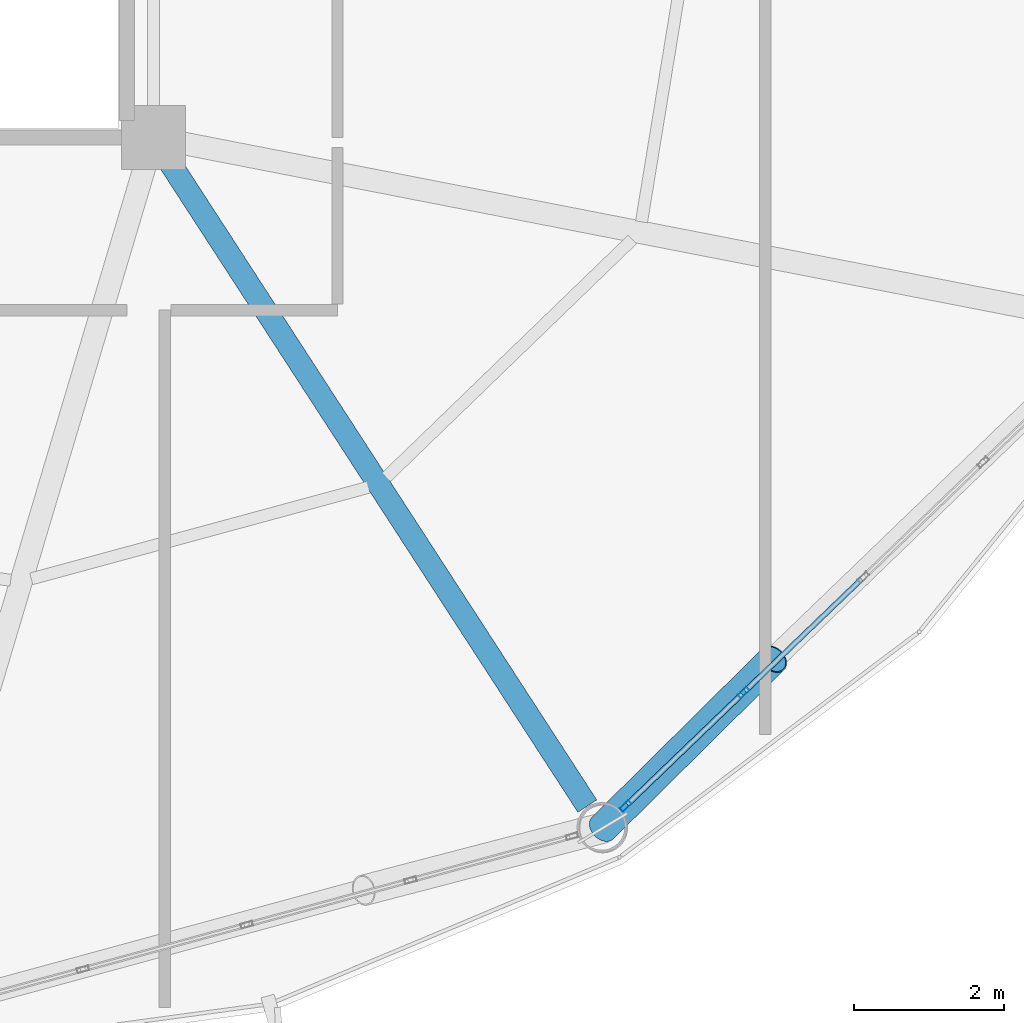
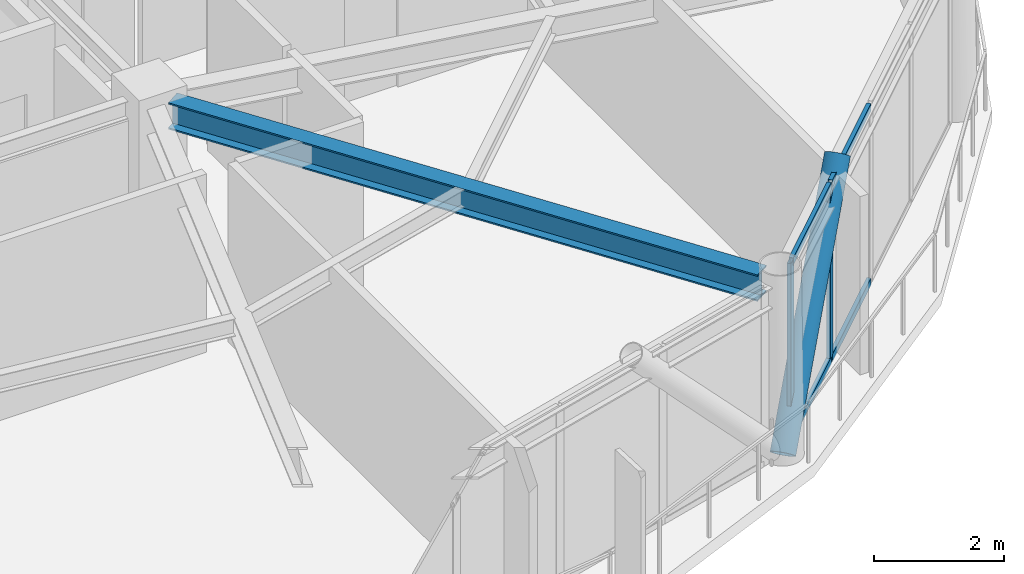
# One storey, part 8 of 28: 7 members, 1 beam, 1 element without a shape of its own.
"""IFC4 building model written with IfcOpenShell, lengths in metres."""

from ifc_helpers import new_model, si_unit, direction, frame, origin, origin_2d, place, context, subcontext, project, spatial, hollow_rectangle, hollow_circle, i_section, extrude, material, layer, layer_set, material_profile, profile_set, type_object, element, aggregate, save


model = new_model("IFC4")

# Units and contexts
model_context = context("Model", 3, precision=1e-05, world=origin(), true_north=direction((0.0, 1.0)))
body_context = subcontext(model_context, "Body", "Model", "MODEL_VIEW")
ifc_project = project(units=[si_unit("LENGTHUNIT", "METRE"), si_unit("AREAUNIT", "SQUARE_METRE"), si_unit("VOLUMEUNIT", "CUBIC_METRE"), si_unit("PLANEANGLEUNIT", "RADIAN"), si_unit("MASSUNIT", "GRAM", prefix="KILO")], contexts=[model_context])

# Site, building, storey
site_placement = place(None, origin())
site = spatial("IfcSite", under=ifc_project, at=site_placement, CompositionType="ELEMENT")
building_placement = place(site_placement, origin())
building = spatial("IfcBuilding", under=site, at=building_placement, Name="Varnakorn Sky Granary", CompositionType="ELEMENT")
storey_placement = place(building_placement, frame((0.0, 0.0, 214.800048828125)))
storey = spatial("IfcBuildingStorey", under=building, at=storey_placement, Name="L54", CompositionType="ELEMENT", Elevation=214.800048828125)

# Beam
ifc_material_1 = material(Name="Steel S355JR", Category="steel")
ifc_material_profile_1 = material_profile(ifc_material_1, i_section(OverallWidth=0.300048828125, OverallDepth=0.5, WebThickness=0.014404296875, FlangeThickness=0.028076171875, at=origin_2d()), Name="HE 500 B")
ifc_profile_set_1 = profile_set([ifc_material_profile_1], Name="Steel S355JR")
beam_type = type_object("IfcBeamType", Name="BM-RAD-Z4", PredefinedType="BEAM", material=ifc_profile_set_1)
beam_placement = place(storey_placement, frame((8.570556640625, -6.939697265625, 3.10986328125), z_axis=(0.544378932083, -0.838839423432, 0.0), x_axis=(0.838839423432, 0.544378932083, 0.0)))
element("IfcBeam", 1, at=beam_placement, inside=storey, type_object=beam_type, Name="Radial Floor Girder RG11 L54", PredefinedType="BEAM", context=body_context, shape_type="SweptSolid", body=[
    extrude(i_section(OverallWidth=0.300048828125, OverallDepth=0.5, WebThickness=0.014404296875, FlangeThickness=0.028076171875, at=origin_2d()), origin(), (0.0, 0.0, 1.0), 10.21142578125),
])

# Curtain wall, members
ifc_material_2 = material(Name="Anodised Bronze Aluminium Alloy 6063-T6", Category="aluminium")
ifc_layer = layer(ifc_material_2, 0.169921875, Name="Anodised Bronze Aluminium Alloy 6063-T6")
ifc_layer_set = layer_set([ifc_layer], Name="Anodised Bronze Aluminium Alloy 6063-T6")
curtain_wall_type = type_object("IfcCurtainWallType", Name="CW-LAB-1", PredefinedType="USERDEFINED", material=ifc_layer_set)
curtain_wall_placement = place(storey_placement, origin())
curtain_wall = element("IfcCurtainWall", 2, at=curtain_wall_placement, inside=storey, type_object=curtain_wall_type, Name="Unitised Curtain Wall CW5 CW-L54-B11", ObjectType="CURTAIN WALL", PredefinedType="USERDEFINED")
ifc_material_profile_2 = material_profile(ifc_material_2, hollow_rectangle(XDim=0.06494140625, YDim=0.159912109375, WallThickness=0.00341796875, at=origin_2d()), Name="ALU MULL 65x160")
ifc_profile_set_2 = profile_set([ifc_material_profile_2], Name="Anodised Bronze Aluminium Alloy 6063-T6")
member_type_1 = type_object("IfcMemberType", Name="CW-LAB-1-MULL", PredefinedType="MULLION", material=ifc_profile_set_2)
member_1_placement = place(storey_placement, frame((16.21142578125, -13.99365234375, 0.0), z_axis=(0.0, 0.0, 1.0), x_axis=(0.693140093091, -0.72080289355, 0.0)))
member_1 = element("IfcMember", 3, at=member_1_placement, type_object=member_type_1, Name="CW5 mullion 4", PredefinedType="MULLION", context=body_context, shape_type="SweptSolid", body=[
    extrude(hollow_rectangle(XDim=0.06494140625, YDim=0.159912109375, WallThickness=0.00341796875, at=origin_2d()), origin(), (0.0, 0.0, 1.0), 3.35986328125),
])
member_2_placement = place(storey_placement, frame((14.639404296875, -15.505126953125, 0.0), z_axis=(0.0, 0.0, 1.0), x_axis=(0.693140093091, -0.72080289355, 0.0)))
member_2 = element("IfcMember", 4, at=member_2_placement, type_object=member_type_1, Name="CW5 mullion 5", PredefinedType="MULLION", context=body_context, shape_type="SweptSolid", body=[
    extrude(hollow_rectangle(XDim=0.06494140625, YDim=0.159912109375, WallThickness=0.00341796875, at=origin_2d()), origin(), (0.0, 0.0, 1.0), 3.35986328125),
])
ifc_material_profile_3 = material_profile(ifc_material_2, hollow_rectangle(XDim=0.070068359375, YDim=0.139892578125, WallThickness=0.00341796875, at=origin_2d()), Name="ALU TRAN 70x140")
ifc_profile_set_3 = profile_set([ifc_material_profile_3], Name="Anodised Bronze Aluminium Alloy 6063-T6")
member_type_2 = type_object("IfcMemberType", Name="CW-LAB-1-TRAN", PredefinedType="USERDEFINED", material=ifc_profile_set_3)
member_3_placement = place(storey_placement, frame((17.783203125, -12.48193359375, 0.034912109375), z_axis=(-0.720723867839, -0.693222263295, 0.0), x_axis=(0.693222263295, -0.720723867839, 0.0)))
member_3 = element("IfcMember", 5, at=member_3_placement, type_object=member_type_2, Name="CW5 transom 3.1", ObjectType="TRANSOM", PredefinedType="USERDEFINED", context=body_context, shape_type="SweptSolid", body=[
    extrude(hollow_rectangle(XDim=0.070068359375, YDim=0.139892578125, WallThickness=0.00341796875, at=origin_2d()), origin(), (0.0, 0.0, 1.0), 2.148193359375),
])
member_4_placement = place(storey_placement, frame((17.783203125, -12.48193359375, 3.324951171875), z_axis=(-0.720723867839, -0.693222263295, 0.0), x_axis=(0.693222263295, -0.720723867839, 0.0)))
member_4 = element("IfcMember", 6, at=member_4_placement, type_object=member_type_2, Name="CW5 transom 3.2", ObjectType="TRANSOM", PredefinedType="USERDEFINED", context=body_context, shape_type="SweptSolid", body=[
    extrude(hollow_rectangle(XDim=0.070068359375, YDim=0.139892578125, WallThickness=0.00341796875, at=origin_2d()), origin(), (0.0, 0.0, 1.0), 2.148193359375),
])
member_5_placement = place(storey_placement, frame((16.18798828125, -14.01611328125, 0.034912109375), z_axis=(-0.720817543904, -0.693124857728, 0.0), x_axis=(0.693124857728, -0.720817543904, 0.0)))
member_5 = element("IfcMember", 7, at=member_5_placement, type_object=member_type_2, Name="CW5 transom 4.1", ObjectType="TRANSOM", PredefinedType="USERDEFINED", context=body_context, shape_type="SweptSolid", body=[
    extrude(hollow_rectangle(XDim=0.070068359375, YDim=0.139892578125, WallThickness=0.00341796875, at=origin_2d()), origin(), (0.0, 0.0, 1.0), 2.115966796875),
])
member_6_placement = place(storey_placement, frame((16.18798828125, -14.01611328125, 3.324951171875), z_axis=(-0.720817543904, -0.693124857728, 0.0), x_axis=(0.693124857728, -0.720817543904, 0.0)))
member_6 = element("IfcMember", 8, at=member_6_placement, type_object=member_type_2, Name="CW5 transom 4.2", ObjectType="TRANSOM", PredefinedType="USERDEFINED", context=body_context, shape_type="SweptSolid", body=[
    extrude(hollow_rectangle(XDim=0.070068359375, YDim=0.139892578125, WallThickness=0.00341796875, at=origin_2d()), origin(), (0.0, 0.0, 1.0), 2.115966796875),
])
aggregate(curtain_wall, [member_1, member_2, member_3, member_4, member_5, member_6])

# Member
ifc_material_3 = material(Name="Steel S460M", Category="steel")
ifc_material_profile_4 = material_profile(ifc_material_3, hollow_circle(Radius=0.203125, WallThickness=0.01611328125, at=origin_2d()), Name="CHS 406.4x16")
ifc_profile_set_4 = profile_set([ifc_material_profile_4], Name="Steel S460M")
member_type_3 = type_object("IfcMemberType", Name="MB-DIAG-T4", PredefinedType="BRACE", material=ifc_profile_set_4)
member_7_placement = place(storey_placement, frame((14.3349609375, -15.798095703125, 0.0), z_axis=(0.480022714172, 0.47538082696, 0.737286418726), x_axis=(-0.703662953992, 0.71053391698, 0.0)))
element("IfcMember", 9, at=member_7_placement, inside=storey, type_object=member_type_3, Name="Perimeter CHS Diagrid Brace DG11 L54", PredefinedType="BRACE", context=body_context, shape_type="SweptSolid", body=[
    extrude(hollow_circle(Radius=0.203125, WallThickness=0.01611328125, at=origin_2d()), origin(), (0.0, 0.0, 1.0), 4.733642578125),
])

save(model, "model.ifc")
